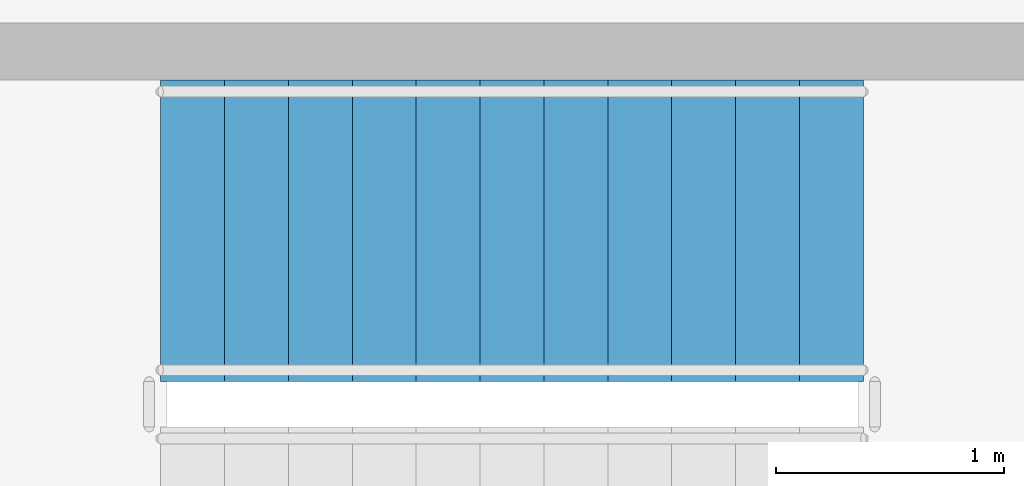
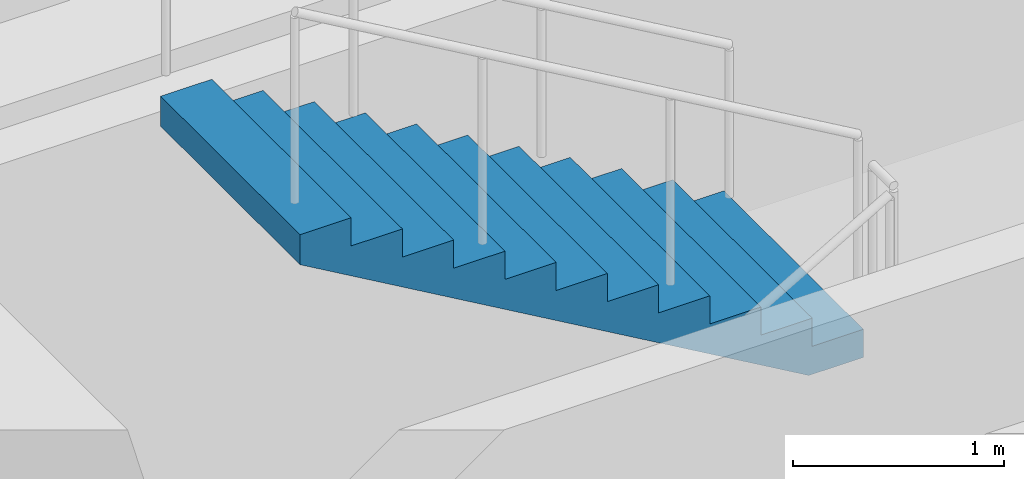
# One storey, part 7 of 8: 1 stair flight, 1 element without a shape of its own.
"""IFC4 building model written with IfcOpenShell, lengths in metres."""

from ifc_helpers import new_model, si_unit, direction, frame, origin, place, context, subcontext, project, spatial, polyline, outline, extrude, material, type_object, element, aggregate, save


model = new_model("IFC4")

# Units and contexts
model_context = context("Model", 3, precision=1e-05, world=origin(), true_north=direction((0.0, 1.0)))
body_context = subcontext(model_context, "Body", "Model", "MODEL_VIEW")
ifc_project = project(units=[si_unit("LENGTHUNIT", "METRE"), si_unit("AREAUNIT", "SQUARE_METRE"), si_unit("VOLUMEUNIT", "CUBIC_METRE"), si_unit("PLANEANGLEUNIT", "RADIAN"), si_unit("MASSUNIT", "GRAM", prefix="KILO")], contexts=[model_context])

# Site, building, storey
site_placement = place(None, origin())
site = spatial("IfcSite", under=ifc_project, at=site_placement, CompositionType="ELEMENT")
building_placement = place(site_placement, origin())
building = spatial("IfcBuilding", under=site, at=building_placement, Name="Solnavia Interchange Tower", CompositionType="ELEMENT")
storey_placement = place(building_placement, frame((0.0, 0.0, 43.5)))
storey = spatial("IfcBuildingStorey", under=building, at=storey_placement, Name="L10", CompositionType="ELEMENT", Elevation=43.5)

# Stair, stair flight
ifc_material = material(Name="Concrete C40/50", Category="concrete")
stair_type = type_object("IfcStairType", Name="Stair-Dogleg-RC", PredefinedType="HALF_TURN_STAIR", material=ifc_material)
stair_placement = place(storey_placement, origin())
stair = element("IfcStair", 1, at=stair_placement, inside=storey, type_object=stair_type, Name="L10 Core exit stair 3", PredefinedType="HALF_TURN_STAIR")
stair_flight_type = type_object("IfcStairFlightType", Name="StairFlight-RC-150", PredefinedType="STRAIGHT", material=ifc_material)
stair_flight_placement = place(storey_placement, frame((19.22998046875, 23.830078125, 1.949951171875), z_axis=(0.0, 0.0, 1.0), x_axis=(-1.0, 0.0, 0.0)))
stair_flight = element("IfcStairFlight", 2, at=stair_flight_placement, type_object=stair_flight_type, Name="ST-3 flight 2", NumberOfRisers=12, NumberOfTreads=11, PredefinedType="STRAIGHT", RiserHeight=0.1625, TreadLength=0.28, context=body_context, shape_type="SweptSolid", body=[
    extrude(outline(polyline([(0.0, 0.0), (0.0, 0.16259765625), (0.280029296875, 0.16259765625), (0.280029296875, 0.324951171875), (0.56005859375, 0.324951171875), (0.56005859375, 0.487548828125), (0.840087890625, 0.487548828125), (0.840087890625, 0.64990234375), (1.1201171875, 0.64990234375), (1.1201171875, 0.8125), (1.39990234375, 0.8125), (1.39990234375, 0.97509765625), (1.679931640625, 0.97509765625), (1.679931640625, 1.137451171875), (1.9599609375, 1.137451171875), (1.9599609375, 1.300048828125), (2.239990234375, 1.300048828125), (2.239990234375, 1.46240234375), (2.52001953125, 1.46240234375), (2.52001953125, 1.625), (2.800048828125, 1.625), (2.800048828125, 1.78759765625), (3.080078125, 1.78759765625), (3.080078125, 1.949951171875), (3.080078125, 1.6142578125), (0.298583984375, 0.0), (0.0, 0.0)])), frame((0.0, 0.66015625, 0.0), z_axis=(0.0, -1.0, 0.0), x_axis=(1.0, 0.0, 0.0)), (0.0, 0.0, 1.0), 1.320068359375),
])
aggregate(stair, [stair_flight])

save(model, "model.ifc")
